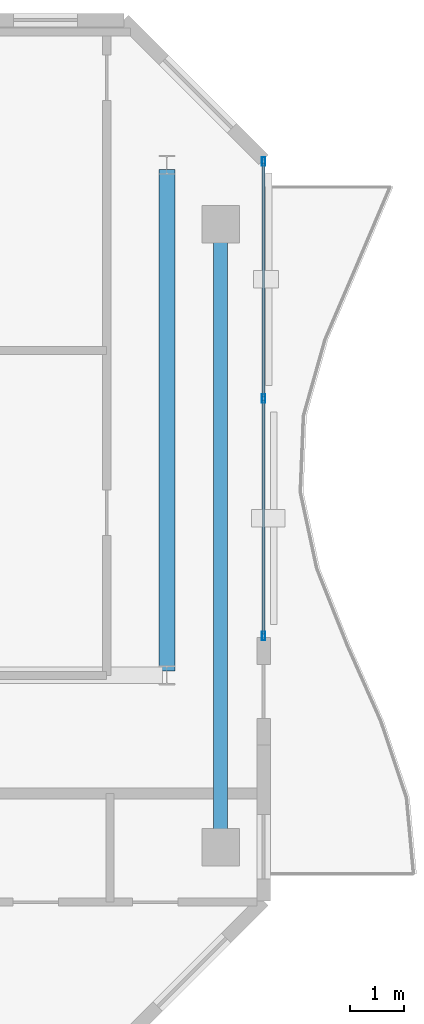
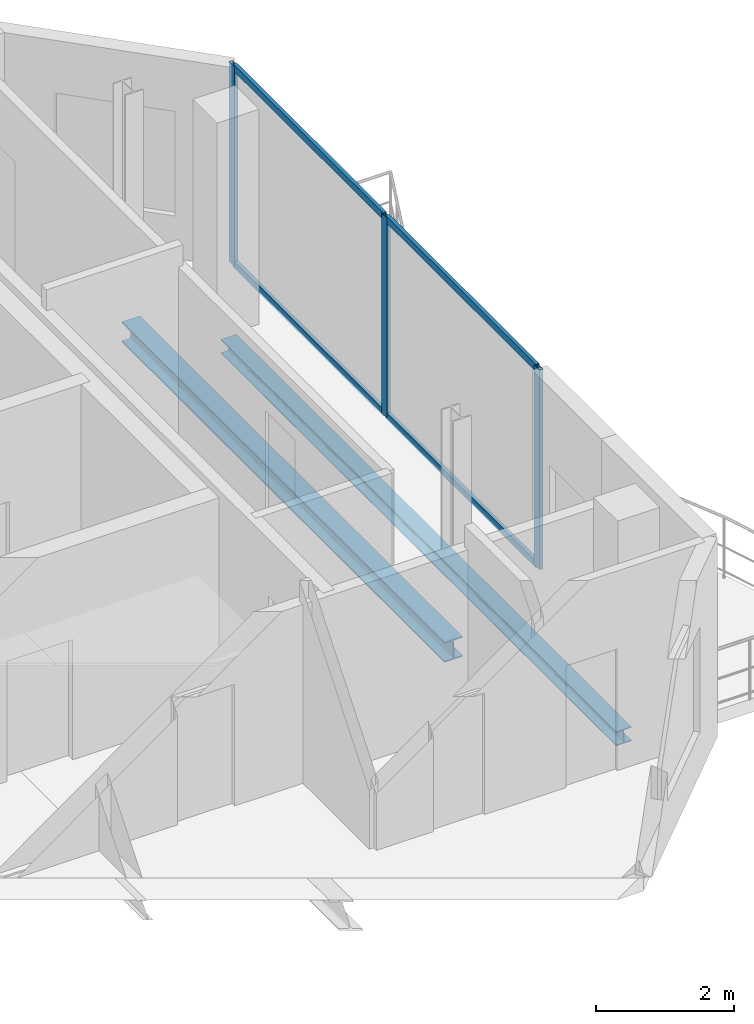
# One storey, part 11 of 17: 7 members, 2 beams, 1 element without a shape of its own.
"""IFC4 building model written with IfcOpenShell, lengths in metres."""

from ifc_helpers import new_model, si_unit, direction, frame, origin, origin_2d, place, context, subcontext, project, spatial, hollow_rectangle, i_section, extrude, material, layer, layer_set, material_profile, profile_set, type_object, element, aggregate, save


model = new_model("IFC4")

# Units and contexts
model_context = context("Model", 3, precision=1e-05, world=origin(), true_north=direction((0.0, 1.0)))
body_context = subcontext(model_context, "Body", "Model", "MODEL_VIEW")
ifc_project = project(units=[si_unit("LENGTHUNIT", "METRE"), si_unit("AREAUNIT", "SQUARE_METRE"), si_unit("VOLUMEUNIT", "CUBIC_METRE"), si_unit("PLANEANGLEUNIT", "RADIAN"), si_unit("MASSUNIT", "GRAM", prefix="KILO")], contexts=[model_context])

# Site, building, storey
site_placement = place(None, origin())
site = spatial("IfcSite", under=ifc_project, at=site_placement, CompositionType="ELEMENT")
building_placement = place(site_placement, origin())
building = spatial("IfcBuilding", under=site, at=building_placement, Name="Catumbela Crestline Tower", CompositionType="ELEMENT")
storey_placement = place(building_placement, frame((0.0, 0.0, 279.2)))
storey = spatial("IfcBuildingStorey", under=building, at=storey_placement, Name="L72", CompositionType="ELEMENT", Elevation=279.2)

# Beam
ifc_material_1 = material(Name="Structural steel S355J2", Category="steel")
ifc_material_profile_1 = material_profile(ifc_material_1, i_section(OverallWidth=0.3, OverallDepth=0.36, WebThickness=0.0125, FlangeThickness=0.0225, FilletRadius=0.027, at=origin_2d()), Name="HEB 360")
ifc_profile_set_1 = profile_set([ifc_material_profile_1], Name="Structural steel S355J2")
beam_type_1 = type_object("IfcBeamType", Name="BG-HEB360", PredefinedType="BEAM", material=ifc_profile_set_1)
beam_1_placement = place(storey_placement, frame((44.2, 30.88, -0.44), z_axis=(0.0, 1.0, 0.0), x_axis=(-1.0, 0.0, 0.0)))
element("IfcBeam", 1, at=beam_1_placement, inside=storey, type_object=beam_type_1, Name="L72 Beam BM-L72-SN10", PredefinedType="BEAM", context=body_context, shape_type="SweptSolid", body=[
    extrude(i_section(OverallWidth=0.3, OverallDepth=0.36, WebThickness=0.0125, FlangeThickness=0.0225, FilletRadius=0.027, at=origin_2d()), origin(), (0.0, 0.0, 1.0), 9.34),
])

# Curtain wall, members
ifc_material_2 = material(Name="Aluminium alloy AW-6060-T66", Category="aluminium")
ifc_layer = layer(ifc_material_2, 0.18, Name="Aluminium alloy AW-6060-T66")
ifc_layer_set = layer_set([ifc_layer], Name="Aluminium alloy AW-6060-T66")
curtain_wall_type = type_object("IfcCurtainWallType", Name="CWU-Z4", PredefinedType="USERDEFINED", material=ifc_layer_set)
curtain_wall_placement = place(storey_placement, origin())
curtain_wall = element("IfcCurtainWall", 2, at=curtain_wall_placement, inside=storey, type_object=curtain_wall_type, Name="L72 Unitised Curtain Wall CW-L72-E5S2", ObjectType="UNITISED", PredefinedType="USERDEFINED")
ifc_material_profile_2 = material_profile(ifc_material_2, hollow_rectangle(XDim=0.06, YDim=0.16, WallThickness=0.004, at=origin_2d()), Name="ALU 160x60x4")
ifc_profile_set_2 = profile_set([ifc_material_profile_2], Name="Aluminium alloy AW-6060-T66")
member_type_1 = type_object("IfcMemberType", Name="MUL-160X60", PredefinedType="MULLION", material=ifc_profile_set_2)
member_1_placement = place(storey_placement, frame((46.0, 31.5325, 0.0), z_axis=(0.0, 0.0, 1.0), x_axis=(-1.0, 0.0, 0.0)))
member_1 = element("IfcMember", 3, at=member_1_placement, type_object=member_type_1, Name="CWU-Z4 mullion 1", PredefinedType="MULLION", context=body_context, shape_type="SweptSolid", body=[
    extrude(hollow_rectangle(XDim=0.06, YDim=0.16, WallThickness=0.004, at=origin_2d()), origin(), (0.0, 0.0, 1.0), 3.53),
])
member_2_placement = place(storey_placement, frame((46.0, 35.95, 0.0), z_axis=(0.0, 0.0, 1.0), x_axis=(-1.0, 0.0, 0.0)))
member_2 = element("IfcMember", 4, at=member_2_placement, type_object=member_type_1, Name="CWU-Z4 mullion 2", PredefinedType="MULLION", context=body_context, shape_type="SweptSolid", body=[
    extrude(hollow_rectangle(XDim=0.06, YDim=0.16, WallThickness=0.004, at=origin_2d()), origin(), (0.0, 0.0, 1.0), 3.53),
])
member_3_placement = place(storey_placement, frame((46.0, 40.3675, 0.0), z_axis=(0.0, 0.0, 1.0), x_axis=(-1.0, 0.0, 0.0)))
member_3 = element("IfcMember", 5, at=member_3_placement, type_object=member_type_1, Name="CWU-Z4 mullion 3", PredefinedType="MULLION", context=body_context, shape_type="SweptSolid", body=[
    extrude(hollow_rectangle(XDim=0.06, YDim=0.16, WallThickness=0.004, at=origin_2d()), origin(), (0.0, 0.0, 1.0), 3.53),
])

# Beam
ifc_material_profile_3 = material_profile(ifc_material_1, i_section(OverallWidth=0.26, OverallDepth=0.25, WebThickness=0.0075, FlangeThickness=0.0125, FilletRadius=0.024, at=origin_2d()), Name="HEA 260")
ifc_profile_set_3 = profile_set([ifc_material_profile_3], Name="Structural steel S355J2")
beam_type_2 = type_object("IfcBeamType", Name="BS-HEA260", PredefinedType="SPANDREL", material=ifc_profile_set_3)
beam_2_placement = place(storey_placement, frame((45.2, 27.68, -0.385), z_axis=(0.0, 1.0, 0.0), x_axis=(-1.0, 0.0, 0.0)))
element("IfcBeam", 6, at=beam_2_placement, inside=storey, type_object=beam_type_2, Name="L72 Spandrel SP-L72-SN11", PredefinedType="SPANDREL", context=body_context, shape_type="SweptSolid", body=[
    extrude(i_section(OverallWidth=0.26, OverallDepth=0.25, WebThickness=0.0075, FlangeThickness=0.0125, FilletRadius=0.024, at=origin_2d()), origin(), (0.0, 0.0, 1.0), 11.44),
])

# Member
ifc_material_profile_4 = material_profile(ifc_material_2, hollow_rectangle(XDim=0.06, YDim=0.12, WallThickness=0.0035, at=origin_2d()), Name="ALU 120x60x3.5")
ifc_profile_set_4 = profile_set([ifc_material_profile_4], Name="Aluminium alloy AW-6060-T66")
member_type_2 = type_object("IfcMemberType", Name="TRN-120X60", PredefinedType="USERDEFINED", material=ifc_profile_set_4)
member_4_placement = place(storey_placement, frame((46.0, 31.565, 0.03), z_axis=(0.0, 1.0, 0.0), x_axis=(-1.0, 0.0, 0.0)))
member_4 = element("IfcMember", 7, at=member_4_placement, type_object=member_type_2, Name="CWU-Z4 transom 1.1", ObjectType="TRANSOM", PredefinedType="USERDEFINED", context=body_context, shape_type="SweptSolid", body=[
    extrude(hollow_rectangle(XDim=0.06, YDim=0.12, WallThickness=0.0035, at=origin_2d()), origin(), (0.0, 0.0, 1.0), 4.3525),
])

member_5_placement = place(storey_placement, frame((46.0, 31.565, 3.5), z_axis=(0.0, 1.0, 0.0), x_axis=(-1.0, 0.0, 0.0)))
member_5 = element("IfcMember", 8, at=member_5_placement, type_object=member_type_2, Name="CWU-Z4 transom 1.2", ObjectType="TRANSOM", PredefinedType="USERDEFINED", context=body_context, shape_type="SweptSolid", body=[
    extrude(hollow_rectangle(XDim=0.06, YDim=0.12, WallThickness=0.0035, at=origin_2d()), origin(), (0.0, 0.0, 1.0), 4.3525),
])

member_6_placement = place(storey_placement, frame((46.0, 35.9825, 0.03), z_axis=(0.0, 1.0, 0.0), x_axis=(-1.0, 0.0, 0.0)))
member_6 = element("IfcMember", 9, at=member_6_placement, type_object=member_type_2, Name="CWU-Z4 transom 2.1", ObjectType="TRANSOM", PredefinedType="USERDEFINED", context=body_context, shape_type="SweptSolid", body=[
    extrude(hollow_rectangle(XDim=0.06, YDim=0.12, WallThickness=0.0035, at=origin_2d()), origin(), (0.0, 0.0, 1.0), 4.3525),
])

member_7_placement = place(storey_placement, frame((46.0, 35.9825, 3.5), z_axis=(0.0, 1.0, 0.0), x_axis=(-1.0, 0.0, 0.0)))
member_7 = element("IfcMember", 10, at=member_7_placement, type_object=member_type_2, Name="CWU-Z4 transom 2.2", ObjectType="TRANSOM", PredefinedType="USERDEFINED", context=body_context, shape_type="SweptSolid", body=[
    extrude(hollow_rectangle(XDim=0.06, YDim=0.12, WallThickness=0.0035, at=origin_2d()), origin(), (0.0, 0.0, 1.0), 4.3525),
])

aggregate(curtain_wall, [member_1, member_2, member_3, member_4, member_5, member_6, member_7])

save(model, "model.ifc")
